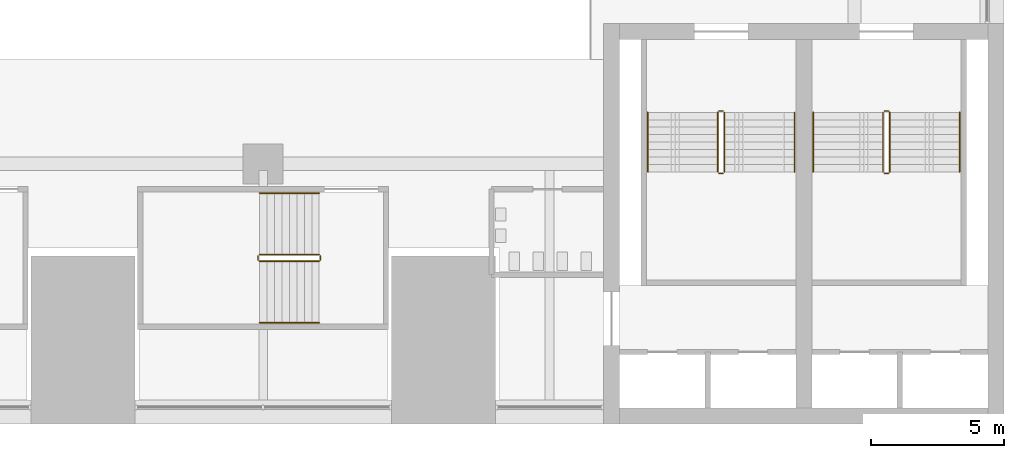
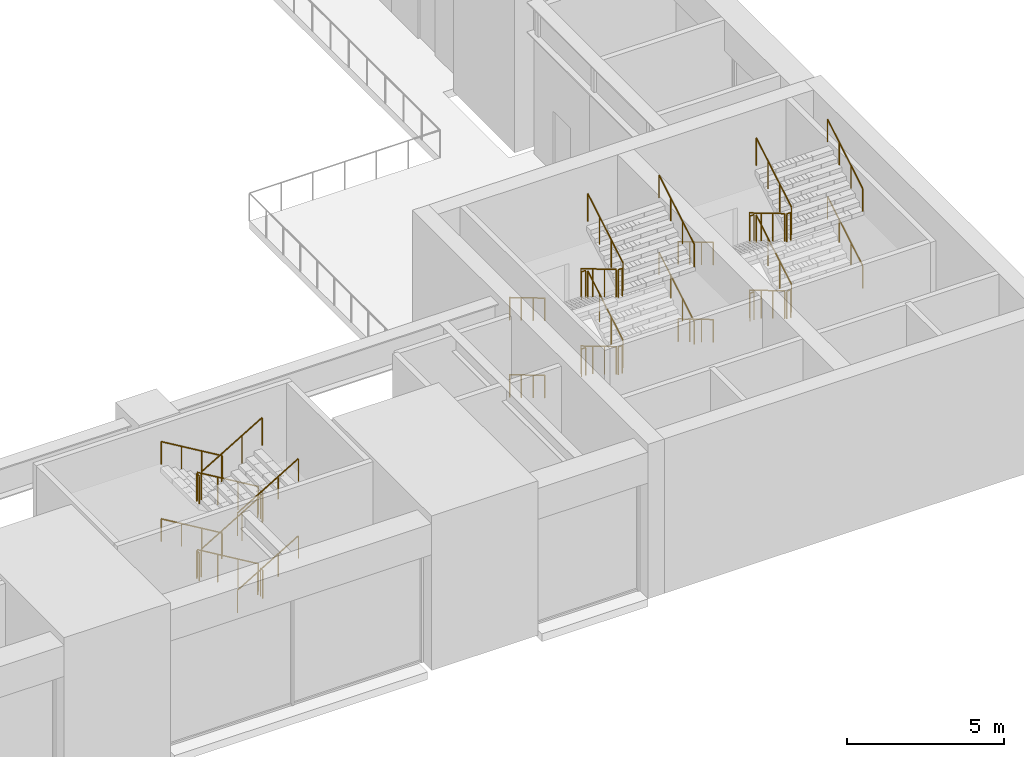
# One storey, part 37 of 41: 6 railings.
"""IFC4 building model written with IfcOpenShell, lengths in metres."""

from ifc_helpers import new_model, si_unit, direction, frame, origin, origin_2d, place, context, subcontext, project, spatial, circle, extrude, material, type_object, element, save


model = new_model("IFC4")

# Units and contexts
model_context = context("Model", 3, precision=1e-05, world=origin(), true_north=direction((0.0, 1.0)))
body_context = subcontext(model_context, "Body", "Model", "MODEL_VIEW")
ifc_project = project(units=[si_unit("LENGTHUNIT", "METRE"), si_unit("AREAUNIT", "SQUARE_METRE"), si_unit("VOLUMEUNIT", "CUBIC_METRE"), si_unit("PLANEANGLEUNIT", "RADIAN"), si_unit("MASSUNIT", "GRAM", prefix="KILO")], contexts=[model_context])

# Site, building, storey
site_placement = place(None, origin())
site = spatial("IfcSite", under=ifc_project, at=site_placement, CompositionType="ELEMENT")
building_placement = place(site_placement, origin())
building = spatial("IfcBuilding", under=site, at=building_placement, Name="Corbelhall Arena Tower", CompositionType="ELEMENT")
storey_placement = place(building_placement, frame((0.0, 0.0, 19.0)))
storey = spatial("IfcBuildingStorey", under=building, at=storey_placement, Name="L02", CompositionType="ELEMENT", Elevation=19.0)

# Railings
ifc_material = material(Name="Stainless steel A4", Category="steel")
railing_type_1 = type_object("IfcRailingType", Name="AR-STAIR-GUARD", PredefinedType="GUARDRAIL", material=ifc_material)
railing_1_placement = place(storey_placement, frame((22.35009765625, -32.64990234375, 0.166748046875)))
element("IfcRailing", 1, at=railing_1_placement, inside=storey, type_object=railing_type_1, Name="L02 AS16 stair guards", PredefinedType="GUARDRAIL", context=body_context, shape_type="SweptSolid", body=[
    extrude(circle(Radius=0.02392578125, at=origin_2d()), frame((0.0, 0.0, 1.076171875), z_axis=(-0.859305625298, 0.0, 0.511462454469), x_axis=(0.0, -1.0, 0.0)), (0.0, 0.0, 1.0), 2.606689453125),
    extrude(circle(Radius=0.02392578125, at=origin_2d()), frame((-2.2900390625, -0.050048828125, 2.4091796875), z_axis=(0.0, -1.0, 0.0), x_axis=(1.0, 0.0, 0.0)), (0.0, 0.0, 1.0), 0.150146484375),
    extrude(circle(Radius=0.02392578125, at=origin_2d()), frame((-2.239990234375, -0.25, 2.576171875), z_axis=(0.859305625298, 0.0, 0.511462454469), x_axis=(0.0, 1.0, 0.0)), (0.0, 0.0, 1.0), 2.606689453125),
    extrude(circle(Radius=0.02392578125, at=origin_2d()), frame((0.0498046875, -0.050048828125, 3.9091796875), z_axis=(0.0, -1.0, 0.0), x_axis=(1.0, 0.0, 0.0)), (0.0, 0.0, 1.0), 0.150146484375),
    extrude(circle(Radius=0.02392578125, at=origin_2d()), frame((0.0, 0.0, 4.076171875), z_axis=(-0.859305625298, 0.0, 0.511462454469), x_axis=(0.0, -1.0, 0.0)), (0.0, 0.0, 1.0), 2.606689453125),
    extrude(circle(Radius=0.02392578125, at=origin_2d()), frame((-2.2900390625, -0.050048828125, 5.4091796875), z_axis=(0.0, -1.0, 0.0), x_axis=(1.0, 0.0, 0.0)), (0.0, 0.0, 1.0), 0.150146484375),
    extrude(circle(Radius=0.02392578125, at=origin_2d()), frame((-2.239990234375, -0.25, 5.576171875), z_axis=(0.859305625298, 0.0, 0.511462454469), x_axis=(0.0, 1.0, 0.0)), (0.0, 0.0, 1.0), 2.606689453125),
    extrude(circle(Radius=0.02392578125, at=origin_2d()), frame((0.0498046875, -0.050048828125, 0.9091796875), z_axis=(0.0, -1.0, 0.0), x_axis=(1.0, 0.0, 0.0)), (0.0, 0.0, 1.0), 0.150146484375),
    extrude(circle(Radius=0.02099609375, at=origin_2d()), origin(), (0.0, 0.0, 1.0), 1.052001953125),
    extrude(circle(Radius=0.02099609375, at=origin_2d()), frame((-0.74658203125, 0.0, 0.4443359375)), (0.0, 0.0, 1.0), 1.052001953125),
    extrude(circle(Radius=0.02099609375, at=origin_2d()), frame((-1.493408203125, 0.0, 0.888916015625)), (0.0, 0.0, 1.0), 1.052001953125),
    extrude(circle(Radius=0.02099609375, at=origin_2d()), frame((-2.239990234375, 0.0, 1.333251953125)), (0.0, 0.0, 1.0), 1.052001953125),
    extrude(circle(Radius=0.02099609375, at=origin_2d()), frame((-2.2900390625, -0.050048828125, 1.333251953125)), (0.0, 0.0, 1.0), 1.052001953125),
    extrude(circle(Radius=0.02099609375, at=origin_2d()), frame((-2.2900390625, -0.2001953125, 1.333251953125)), (0.0, 0.0, 1.0), 1.052001953125),
    extrude(circle(Radius=0.02099609375, at=origin_2d()), frame((-2.239990234375, -0.25, 1.5)), (0.0, 0.0, 1.0), 1.052001953125),
    extrude(circle(Radius=0.02099609375, at=origin_2d()), frame((-1.493408203125, -0.25, 1.9443359375)), (0.0, 0.0, 1.0), 1.052001953125),
    extrude(circle(Radius=0.02099609375, at=origin_2d()), frame((-0.74658203125, -0.25, 2.388916015625)), (0.0, 0.0, 1.0), 1.052001953125),
    extrude(circle(Radius=0.02099609375, at=origin_2d()), frame((0.0, -0.25, 2.833251953125)), (0.0, 0.0, 1.0), 1.052001953125),
    extrude(circle(Radius=0.02099609375, at=origin_2d()), frame((0.0498046875, -0.050048828125, 2.833251953125)), (0.0, 0.0, 1.0), 1.052001953125),
    extrude(circle(Radius=0.02099609375, at=origin_2d()), frame((0.0498046875, -0.2001953125, 2.833251953125)), (0.0, 0.0, 1.0), 1.052001953125),
    extrude(circle(Radius=0.02099609375, at=origin_2d()), frame((0.0, 0.0, 3.0)), (0.0, 0.0, 1.0), 1.052001953125),
    extrude(circle(Radius=0.02099609375, at=origin_2d()), frame((-0.74658203125, 0.0, 3.4443359375)), (0.0, 0.0, 1.0), 1.052001953125),
    extrude(circle(Radius=0.02099609375, at=origin_2d()), frame((-1.493408203125, 0.0, 3.888916015625)), (0.0, 0.0, 1.0), 1.052001953125),
    extrude(circle(Radius=0.02099609375, at=origin_2d()), frame((-2.239990234375, 0.0, 4.333251953125)), (0.0, 0.0, 1.0), 1.052001953125),
    extrude(circle(Radius=0.02099609375, at=origin_2d()), frame((-2.2900390625, -0.050048828125, 4.333251953125)), (0.0, 0.0, 1.0), 1.052001953125),
    extrude(circle(Radius=0.02099609375, at=origin_2d()), frame((-2.2900390625, -0.2001953125, 4.333251953125)), (0.0, 0.0, 1.0), 1.052001953125),
    extrude(circle(Radius=0.02099609375, at=origin_2d()), frame((-2.239990234375, -0.25, 4.5)), (0.0, 0.0, 1.0), 1.052001953125),
    extrude(circle(Radius=0.02099609375, at=origin_2d()), frame((-1.493408203125, -0.25, 4.9443359375)), (0.0, 0.0, 1.0), 1.052001953125),
    extrude(circle(Radius=0.02099609375, at=origin_2d()), frame((-0.74658203125, -0.25, 5.388916015625)), (0.0, 0.0, 1.0), 1.052001953125),
    extrude(circle(Radius=0.02099609375, at=origin_2d()), frame((0.0, -0.25, 5.833251953125)), (0.0, 0.0, 1.0), 1.052001953125),
    extrude(circle(Radius=0.02099609375, at=origin_2d()), frame((0.0498046875, -0.050048828125, -0.166748046875)), (0.0, 0.0, 1.0), 1.052001953125),
    extrude(circle(Radius=0.02099609375, at=origin_2d()), frame((0.0498046875, -0.2001953125, -0.166748046875)), (0.0, 0.0, 1.0), 1.052001953125),
])
railing_2_placement = place(storey_placement, frame((37.280029296875, -27.320068359375, 0.166748046875)))
element("IfcRailing", 2, at=railing_2_placement, inside=storey, type_object=railing_type_1, Name="L02 AS5 stair guards", PredefinedType="GUARDRAIL", context=body_context, shape_type="SweptSolid", body=[
    extrude(circle(Radius=0.02392578125, at=origin_2d()), frame((0.0, 0.0, 1.076171875), z_axis=(0.0, -0.859305625298, 0.511462454469), x_axis=(1.0, 0.0, 0.0)), (0.0, 0.0, 1.0), 2.606689453125),
    extrude(circle(Radius=0.02392578125, at=origin_2d()), frame((0.050048828125, -2.2900390625, 2.4091796875), z_axis=(1.0, 0.0, 0.0), x_axis=(0.0, 1.0, 0.0)), (0.0, 0.0, 1.0), 0.14990234375),
    extrude(circle(Radius=0.02392578125, at=origin_2d()), frame((0.25, -2.239990234375, 2.576171875), z_axis=(0.0, 0.859305625298, 0.511462454469), x_axis=(-1.0, 0.0, 0.0)), (0.0, 0.0, 1.0), 2.606689453125),
    extrude(circle(Radius=0.02392578125, at=origin_2d()), frame((0.050048828125, 0.050048828125, 3.9091796875), z_axis=(1.0, 0.0, 0.0), x_axis=(0.0, 1.0, 0.0)), (0.0, 0.0, 1.0), 0.14990234375),
    extrude(circle(Radius=0.02392578125, at=origin_2d()), frame((0.0, 0.0, 4.076171875), z_axis=(0.0, -0.859305625298, 0.511462454469), x_axis=(1.0, 0.0, 0.0)), (0.0, 0.0, 1.0), 2.606689453125),
    extrude(circle(Radius=0.02392578125, at=origin_2d()), frame((0.050048828125, -2.2900390625, 5.4091796875), z_axis=(1.0, 0.0, 0.0), x_axis=(0.0, 1.0, 0.0)), (0.0, 0.0, 1.0), 0.14990234375),
    extrude(circle(Radius=0.02392578125, at=origin_2d()), frame((0.25, -2.239990234375, 5.576171875), z_axis=(0.0, 0.859305625298, 0.511462454469), x_axis=(-1.0, 0.0, 0.0)), (0.0, 0.0, 1.0), 2.606689453125),
    extrude(circle(Radius=0.02392578125, at=origin_2d()), frame((0.050048828125, 0.050048828125, 0.9091796875), z_axis=(1.0, 0.0, 0.0), x_axis=(0.0, 1.0, 0.0)), (0.0, 0.0, 1.0), 0.14990234375),
    extrude(circle(Radius=0.02099609375, at=origin_2d()), origin(), (0.0, 0.0, 1.0), 1.052001953125),
    extrude(circle(Radius=0.02099609375, at=origin_2d()), frame((0.0, -0.74658203125, 0.4443359375)), (0.0, 0.0, 1.0), 1.052001953125),
    extrude(circle(Radius=0.02099609375, at=origin_2d()), frame((0.0, -1.493408203125, 0.888916015625)), (0.0, 0.0, 1.0), 1.052001953125),
    extrude(circle(Radius=0.02099609375, at=origin_2d()), frame((0.0, -2.239990234375, 1.333251953125)), (0.0, 0.0, 1.0), 1.052001953125),
    extrude(circle(Radius=0.02099609375, at=origin_2d()), frame((0.050048828125, -2.2900390625, 1.333251953125)), (0.0, 0.0, 1.0), 1.052001953125),
    extrude(circle(Radius=0.02099609375, at=origin_2d()), frame((0.199951171875, -2.2900390625, 1.333251953125)), (0.0, 0.0, 1.0), 1.052001953125),
    extrude(circle(Radius=0.02099609375, at=origin_2d()), frame((0.25, -2.239990234375, 1.5)), (0.0, 0.0, 1.0), 1.052001953125),
    extrude(circle(Radius=0.02099609375, at=origin_2d()), frame((0.25, -1.493408203125, 1.9443359375)), (0.0, 0.0, 1.0), 1.052001953125),
    extrude(circle(Radius=0.02099609375, at=origin_2d()), frame((0.25, -0.74658203125, 2.388916015625)), (0.0, 0.0, 1.0), 1.052001953125),
    extrude(circle(Radius=0.02099609375, at=origin_2d()), frame((0.25, 0.0, 2.833251953125)), (0.0, 0.0, 1.0), 1.052001953125),
    extrude(circle(Radius=0.02099609375, at=origin_2d()), frame((0.050048828125, 0.050048828125, 2.833251953125)), (0.0, 0.0, 1.0), 1.052001953125),
    extrude(circle(Radius=0.02099609375, at=origin_2d()), frame((0.199951171875, 0.050048828125, 2.833251953125)), (0.0, 0.0, 1.0), 1.052001953125),
    extrude(circle(Radius=0.02099609375, at=origin_2d()), frame((0.0, 0.0, 3.0)), (0.0, 0.0, 1.0), 1.052001953125),
    extrude(circle(Radius=0.02099609375, at=origin_2d()), frame((0.0, -0.74658203125, 3.4443359375)), (0.0, 0.0, 1.0), 1.052001953125),
    extrude(circle(Radius=0.02099609375, at=origin_2d()), frame((0.0, -1.493408203125, 3.888916015625)), (0.0, 0.0, 1.0), 1.052001953125),
    extrude(circle(Radius=0.02099609375, at=origin_2d()), frame((0.0, -2.239990234375, 4.333251953125)), (0.0, 0.0, 1.0), 1.052001953125),
    extrude(circle(Radius=0.02099609375, at=origin_2d()), frame((0.050048828125, -2.2900390625, 4.333251953125)), (0.0, 0.0, 1.0), 1.052001953125),
    extrude(circle(Radius=0.02099609375, at=origin_2d()), frame((0.199951171875, -2.2900390625, 4.333251953125)), (0.0, 0.0, 1.0), 1.052001953125),
    extrude(circle(Radius=0.02099609375, at=origin_2d()), frame((0.25, -2.239990234375, 4.5)), (0.0, 0.0, 1.0), 1.052001953125),
    extrude(circle(Radius=0.02099609375, at=origin_2d()), frame((0.25, -1.493408203125, 4.9443359375)), (0.0, 0.0, 1.0), 1.052001953125),
    extrude(circle(Radius=0.02099609375, at=origin_2d()), frame((0.25, -0.74658203125, 5.388916015625)), (0.0, 0.0, 1.0), 1.052001953125),
    extrude(circle(Radius=0.02099609375, at=origin_2d()), frame((0.25, 0.0, 5.833251953125)), (0.0, 0.0, 1.0), 1.052001953125),
    extrude(circle(Radius=0.02099609375, at=origin_2d()), frame((0.050048828125, 0.050048828125, -0.166748046875)), (0.0, 0.0, 1.0), 1.052001953125),
    extrude(circle(Radius=0.02099609375, at=origin_2d()), frame((0.199951171875, 0.050048828125, -0.166748046875)), (0.0, 0.0, 1.0), 1.052001953125),
])
railing_3_placement = place(storey_placement, frame((43.469970703125, -27.320068359375, 0.166748046875)))
element("IfcRailing", 3, at=railing_3_placement, inside=storey, type_object=railing_type_1, Name="L02 AS6 stair guards", PredefinedType="GUARDRAIL", context=body_context, shape_type="SweptSolid", body=[
    extrude(circle(Radius=0.02392578125, at=origin_2d()), frame((0.0, 0.0, 1.076171875), z_axis=(0.0, -0.859305625298, 0.511462454469), x_axis=(1.0, 0.0, 0.0)), (0.0, 0.0, 1.0), 2.606689453125),
    extrude(circle(Radius=0.02392578125, at=origin_2d()), frame((0.050048828125, -2.2900390625, 2.4091796875), z_axis=(1.0, 0.0, 0.0), x_axis=(0.0, 1.0, 0.0)), (0.0, 0.0, 1.0), 0.14990234375),
    extrude(circle(Radius=0.02392578125, at=origin_2d()), frame((0.25, -2.239990234375, 2.576171875), z_axis=(0.0, 0.859305625298, 0.511462454469), x_axis=(-1.0, 0.0, 0.0)), (0.0, 0.0, 1.0), 2.606689453125),
    extrude(circle(Radius=0.02392578125, at=origin_2d()), frame((0.050048828125, 0.050048828125, 3.9091796875), z_axis=(1.0, 0.0, 0.0), x_axis=(0.0, 1.0, 0.0)), (0.0, 0.0, 1.0), 0.14990234375),
    extrude(circle(Radius=0.02392578125, at=origin_2d()), frame((0.0, 0.0, 4.076171875), z_axis=(0.0, -0.859305625298, 0.511462454469), x_axis=(1.0, 0.0, 0.0)), (0.0, 0.0, 1.0), 2.606689453125),
    extrude(circle(Radius=0.02392578125, at=origin_2d()), frame((0.050048828125, -2.2900390625, 5.4091796875), z_axis=(1.0, 0.0, 0.0), x_axis=(0.0, 1.0, 0.0)), (0.0, 0.0, 1.0), 0.14990234375),
    extrude(circle(Radius=0.02392578125, at=origin_2d()), frame((0.25, -2.239990234375, 5.576171875), z_axis=(0.0, 0.859305625298, 0.511462454469), x_axis=(-1.0, 0.0, 0.0)), (0.0, 0.0, 1.0), 2.606689453125),
    extrude(circle(Radius=0.02392578125, at=origin_2d()), frame((0.050048828125, 0.050048828125, 0.9091796875), z_axis=(1.0, 0.0, 0.0), x_axis=(0.0, 1.0, 0.0)), (0.0, 0.0, 1.0), 0.14990234375),
    extrude(circle(Radius=0.02099609375, at=origin_2d()), origin(), (0.0, 0.0, 1.0), 1.052001953125),
    extrude(circle(Radius=0.02099609375, at=origin_2d()), frame((0.0, -0.74658203125, 0.4443359375)), (0.0, 0.0, 1.0), 1.052001953125),
    extrude(circle(Radius=0.02099609375, at=origin_2d()), frame((0.0, -1.493408203125, 0.888916015625)), (0.0, 0.0, 1.0), 1.052001953125),
    extrude(circle(Radius=0.02099609375, at=origin_2d()), frame((0.0, -2.239990234375, 1.333251953125)), (0.0, 0.0, 1.0), 1.052001953125),
    extrude(circle(Radius=0.02099609375, at=origin_2d()), frame((0.050048828125, -2.2900390625, 1.333251953125)), (0.0, 0.0, 1.0), 1.052001953125),
    extrude(circle(Radius=0.02099609375, at=origin_2d()), frame((0.199951171875, -2.2900390625, 1.333251953125)), (0.0, 0.0, 1.0), 1.052001953125),
    extrude(circle(Radius=0.02099609375, at=origin_2d()), frame((0.25, -2.239990234375, 1.5)), (0.0, 0.0, 1.0), 1.052001953125),
    extrude(circle(Radius=0.02099609375, at=origin_2d()), frame((0.25, -1.493408203125, 1.9443359375)), (0.0, 0.0, 1.0), 1.052001953125),
    extrude(circle(Radius=0.02099609375, at=origin_2d()), frame((0.25, -0.74658203125, 2.388916015625)), (0.0, 0.0, 1.0), 1.052001953125),
    extrude(circle(Radius=0.02099609375, at=origin_2d()), frame((0.25, 0.0, 2.833251953125)), (0.0, 0.0, 1.0), 1.052001953125),
    extrude(circle(Radius=0.02099609375, at=origin_2d()), frame((0.050048828125, 0.050048828125, 2.833251953125)), (0.0, 0.0, 1.0), 1.052001953125),
    extrude(circle(Radius=0.02099609375, at=origin_2d()), frame((0.199951171875, 0.050048828125, 2.833251953125)), (0.0, 0.0, 1.0), 1.052001953125),
    extrude(circle(Radius=0.02099609375, at=origin_2d()), frame((0.0, 0.0, 3.0)), (0.0, 0.0, 1.0), 1.052001953125),
    extrude(circle(Radius=0.02099609375, at=origin_2d()), frame((0.0, -0.74658203125, 3.4443359375)), (0.0, 0.0, 1.0), 1.052001953125),
    extrude(circle(Radius=0.02099609375, at=origin_2d()), frame((0.0, -1.493408203125, 3.888916015625)), (0.0, 0.0, 1.0), 1.052001953125),
    extrude(circle(Radius=0.02099609375, at=origin_2d()), frame((0.0, -2.239990234375, 4.333251953125)), (0.0, 0.0, 1.0), 1.052001953125),
    extrude(circle(Radius=0.02099609375, at=origin_2d()), frame((0.050048828125, -2.2900390625, 4.333251953125)), (0.0, 0.0, 1.0), 1.052001953125),
    extrude(circle(Radius=0.02099609375, at=origin_2d()), frame((0.199951171875, -2.2900390625, 4.333251953125)), (0.0, 0.0, 1.0), 1.052001953125),
    extrude(circle(Radius=0.02099609375, at=origin_2d()), frame((0.25, -2.239990234375, 4.5)), (0.0, 0.0, 1.0), 1.052001953125),
    extrude(circle(Radius=0.02099609375, at=origin_2d()), frame((0.25, -1.493408203125, 4.9443359375)), (0.0, 0.0, 1.0), 1.052001953125),
    extrude(circle(Radius=0.02099609375, at=origin_2d()), frame((0.25, -0.74658203125, 5.388916015625)), (0.0, 0.0, 1.0), 1.052001953125),
    extrude(circle(Radius=0.02099609375, at=origin_2d()), frame((0.25, 0.0, 5.833251953125)), (0.0, 0.0, 1.0), 1.052001953125),
    extrude(circle(Radius=0.02099609375, at=origin_2d()), frame((0.050048828125, 0.050048828125, -0.166748046875)), (0.0, 0.0, 1.0), 1.052001953125),
    extrude(circle(Radius=0.02099609375, at=origin_2d()), frame((0.199951171875, 0.050048828125, -0.166748046875)), (0.0, 0.0, 1.0), 1.052001953125),
])
railing_type_2 = type_object("IfcRailingType", Name="AR-STAIR-HANDRAIL", PredefinedType="HANDRAIL", material=ifc_material)
railing_4_placement = place(storey_placement, frame((22.35009765625, -30.35009765625, 0.166748046875)))
element("IfcRailing", 4, at=railing_4_placement, inside=storey, type_object=railing_type_2, Name="L02 AS16 stair handrails", PredefinedType="HANDRAIL", context=body_context, shape_type="SweptSolid", body=[
    extrude(circle(Radius=0.02392578125, at=origin_2d()), frame((0.0, 0.0, 0.8759765625), z_axis=(-0.859305625298, 0.0, 0.511462454469), x_axis=(0.0, -1.0, 0.0)), (0.0, 0.0, 1.0), 2.606689453125),
    extrude(circle(Radius=0.02392578125, at=origin_2d()), frame((-2.239990234375, -4.849853515625, 2.3759765625), z_axis=(0.859305625298, 0.0, 0.511462454469), x_axis=(0.0, 1.0, 0.0)), (0.0, 0.0, 1.0), 2.606689453125),
    extrude(circle(Radius=0.02392578125, at=origin_2d()), frame((0.0, 0.0, 3.8759765625), z_axis=(-0.859305625298, 0.0, 0.511462454469), x_axis=(0.0, -1.0, 0.0)), (0.0, 0.0, 1.0), 2.606689453125),
    extrude(circle(Radius=0.02392578125, at=origin_2d()), frame((-2.239990234375, -4.849853515625, 5.3759765625), z_axis=(0.859305625298, 0.0, 0.511462454469), x_axis=(0.0, 1.0, 0.0)), (0.0, 0.0, 1.0), 2.606689453125),
    extrude(circle(Radius=0.02099609375, at=origin_2d()), origin(), (0.0, 0.0, 1.0), 0.851806640625),
    extrude(circle(Radius=0.02099609375, at=origin_2d()), frame((-0.74658203125, 0.0, 0.4443359375)), (0.0, 0.0, 1.0), 0.851806640625),
    extrude(circle(Radius=0.02099609375, at=origin_2d()), frame((-1.493408203125, 0.0, 0.888916015625)), (0.0, 0.0, 1.0), 0.851806640625),
    extrude(circle(Radius=0.02099609375, at=origin_2d()), frame((-2.239990234375, 0.0, 1.333251953125)), (0.0, 0.0, 1.0), 0.851806640625),
    extrude(circle(Radius=0.02099609375, at=origin_2d()), frame((-2.239990234375, -4.849853515625, 1.5)), (0.0, 0.0, 1.0), 0.851806640625),
    extrude(circle(Radius=0.02099609375, at=origin_2d()), frame((-1.493408203125, -4.849853515625, 1.9443359375)), (0.0, 0.0, 1.0), 0.851806640625),
    extrude(circle(Radius=0.02099609375, at=origin_2d()), frame((-0.74658203125, -4.849853515625, 2.388916015625)), (0.0, 0.0, 1.0), 0.851806640625),
    extrude(circle(Radius=0.02099609375, at=origin_2d()), frame((0.0, -4.849853515625, 2.833251953125)), (0.0, 0.0, 1.0), 0.851806640625),
    extrude(circle(Radius=0.02099609375, at=origin_2d()), frame((0.0, 0.0, 3.0)), (0.0, 0.0, 1.0), 0.851806640625),
    extrude(circle(Radius=0.02099609375, at=origin_2d()), frame((-0.74658203125, 0.0, 3.4443359375)), (0.0, 0.0, 1.0), 0.851806640625),
    extrude(circle(Radius=0.02099609375, at=origin_2d()), frame((-1.493408203125, 0.0, 3.888916015625)), (0.0, 0.0, 1.0), 0.851806640625),
    extrude(circle(Radius=0.02099609375, at=origin_2d()), frame((-2.239990234375, 0.0, 4.333251953125)), (0.0, 0.0, 1.0), 0.851806640625),
    extrude(circle(Radius=0.02099609375, at=origin_2d()), frame((-2.239990234375, -4.849853515625, 4.5)), (0.0, 0.0, 1.0), 0.851806640625),
    extrude(circle(Radius=0.02099609375, at=origin_2d()), frame((-1.493408203125, -4.849853515625, 4.9443359375)), (0.0, 0.0, 1.0), 0.851806640625),
    extrude(circle(Radius=0.02099609375, at=origin_2d()), frame((-0.74658203125, -4.849853515625, 5.388916015625)), (0.0, 0.0, 1.0), 0.851806640625),
    extrude(circle(Radius=0.02099609375, at=origin_2d()), frame((0.0, -4.849853515625, 5.833251953125)), (0.0, 0.0, 1.0), 0.851806640625),
])
railing_5_placement = place(storey_placement, frame((34.659912109375, -27.320068359375, 0.166748046875)))
element("IfcRailing", 5, at=railing_5_placement, inside=storey, type_object=railing_type_2, Name="L02 AS5 stair handrails", PredefinedType="HANDRAIL", context=body_context, shape_type="SweptSolid", body=[
    extrude(circle(Radius=0.02392578125, at=origin_2d()), frame((0.0, 0.0, 0.8759765625), z_axis=(0.0, -0.859305625298, 0.511462454469), x_axis=(1.0, 0.0, 0.0)), (0.0, 0.0, 1.0), 2.606689453125),
    extrude(circle(Radius=0.02392578125, at=origin_2d()), frame((5.489990234375, -2.239990234375, 2.3759765625), z_axis=(0.0, 0.859305625298, 0.511462454469), x_axis=(-1.0, 0.0, 0.0)), (0.0, 0.0, 1.0), 2.606689453125),
    extrude(circle(Radius=0.02392578125, at=origin_2d()), frame((0.0, 0.0, 3.8759765625), z_axis=(0.0, -0.859305625298, 0.511462454469), x_axis=(1.0, 0.0, 0.0)), (0.0, 0.0, 1.0), 2.606689453125),
    extrude(circle(Radius=0.02392578125, at=origin_2d()), frame((5.489990234375, -2.239990234375, 5.3759765625), z_axis=(0.0, 0.859305625298, 0.511462454469), x_axis=(-1.0, 0.0, 0.0)), (0.0, 0.0, 1.0), 2.606689453125),
    extrude(circle(Radius=0.02099609375, at=origin_2d()), origin(), (0.0, 0.0, 1.0), 0.851806640625),
    extrude(circle(Radius=0.02099609375, at=origin_2d()), frame((0.0, -0.74658203125, 0.4443359375)), (0.0, 0.0, 1.0), 0.851806640625),
    extrude(circle(Radius=0.02099609375, at=origin_2d()), frame((0.0, -1.493408203125, 0.888916015625)), (0.0, 0.0, 1.0), 0.851806640625),
    extrude(circle(Radius=0.02099609375, at=origin_2d()), frame((0.0, -2.239990234375, 1.333251953125)), (0.0, 0.0, 1.0), 0.851806640625),
    extrude(circle(Radius=0.02099609375, at=origin_2d()), frame((5.489990234375, -2.239990234375, 1.5)), (0.0, 0.0, 1.0), 0.851806640625),
    extrude(circle(Radius=0.02099609375, at=origin_2d()), frame((5.489990234375, -1.493408203125, 1.9443359375)), (0.0, 0.0, 1.0), 0.851806640625),
    extrude(circle(Radius=0.02099609375, at=origin_2d()), frame((5.489990234375, -0.74658203125, 2.388916015625)), (0.0, 0.0, 1.0), 0.851806640625),
    extrude(circle(Radius=0.02099609375, at=origin_2d()), frame((5.489990234375, 0.0, 2.833251953125)), (0.0, 0.0, 1.0), 0.851806640625),
    extrude(circle(Radius=0.02099609375, at=origin_2d()), frame((0.0, 0.0, 3.0)), (0.0, 0.0, 1.0), 0.851806640625),
    extrude(circle(Radius=0.02099609375, at=origin_2d()), frame((0.0, -0.74658203125, 3.4443359375)), (0.0, 0.0, 1.0), 0.851806640625),
    extrude(circle(Radius=0.02099609375, at=origin_2d()), frame((0.0, -1.493408203125, 3.888916015625)), (0.0, 0.0, 1.0), 0.851806640625),
    extrude(circle(Radius=0.02099609375, at=origin_2d()), frame((0.0, -2.239990234375, 4.333251953125)), (0.0, 0.0, 1.0), 0.851806640625),
    extrude(circle(Radius=0.02099609375, at=origin_2d()), frame((5.489990234375, -2.239990234375, 4.5)), (0.0, 0.0, 1.0), 0.851806640625),
    extrude(circle(Radius=0.02099609375, at=origin_2d()), frame((5.489990234375, -1.493408203125, 4.9443359375)), (0.0, 0.0, 1.0), 0.851806640625),
    extrude(circle(Radius=0.02099609375, at=origin_2d()), frame((5.489990234375, -0.74658203125, 5.388916015625)), (0.0, 0.0, 1.0), 0.851806640625),
    extrude(circle(Radius=0.02099609375, at=origin_2d()), frame((5.489990234375, 0.0, 5.833251953125)), (0.0, 0.0, 1.0), 0.851806640625),
])
railing_6_placement = place(storey_placement, frame((40.85009765625, -27.320068359375, 0.166748046875)))
element("IfcRailing", 6, at=railing_6_placement, inside=storey, type_object=railing_type_2, Name="L02 AS6 stair handrails", PredefinedType="HANDRAIL", context=body_context, shape_type="SweptSolid", body=[
    extrude(circle(Radius=0.02392578125, at=origin_2d()), frame((0.0, 0.0, 0.8759765625), z_axis=(0.0, -0.859305625298, 0.511462454469), x_axis=(1.0, 0.0, 0.0)), (0.0, 0.0, 1.0), 2.606689453125),
    extrude(circle(Radius=0.02392578125, at=origin_2d()), frame((5.489990234375, -2.239990234375, 2.3759765625), z_axis=(0.0, 0.859305625298, 0.511462454469), x_axis=(-1.0, 0.0, 0.0)), (0.0, 0.0, 1.0), 2.606689453125),
    extrude(circle(Radius=0.02392578125, at=origin_2d()), frame((0.0, 0.0, 3.8759765625), z_axis=(0.0, -0.859305625298, 0.511462454469), x_axis=(1.0, 0.0, 0.0)), (0.0, 0.0, 1.0), 2.606689453125),
    extrude(circle(Radius=0.02392578125, at=origin_2d()), frame((5.489990234375, -2.239990234375, 5.3759765625), z_axis=(0.0, 0.859305625298, 0.511462454469), x_axis=(-1.0, 0.0, 0.0)), (0.0, 0.0, 1.0), 2.606689453125),
    extrude(circle(Radius=0.02099609375, at=origin_2d()), origin(), (0.0, 0.0, 1.0), 0.851806640625),
    extrude(circle(Radius=0.02099609375, at=origin_2d()), frame((0.0, -0.74658203125, 0.4443359375)), (0.0, 0.0, 1.0), 0.851806640625),
    extrude(circle(Radius=0.02099609375, at=origin_2d()), frame((0.0, -1.493408203125, 0.888916015625)), (0.0, 0.0, 1.0), 0.851806640625),
    extrude(circle(Radius=0.02099609375, at=origin_2d()), frame((0.0, -2.239990234375, 1.333251953125)), (0.0, 0.0, 1.0), 0.851806640625),
    extrude(circle(Radius=0.02099609375, at=origin_2d()), frame((5.489990234375, -2.239990234375, 1.5)), (0.0, 0.0, 1.0), 0.851806640625),
    extrude(circle(Radius=0.02099609375, at=origin_2d()), frame((5.489990234375, -1.493408203125, 1.9443359375)), (0.0, 0.0, 1.0), 0.851806640625),
    extrude(circle(Radius=0.02099609375, at=origin_2d()), frame((5.489990234375, -0.74658203125, 2.388916015625)), (0.0, 0.0, 1.0), 0.851806640625),
    extrude(circle(Radius=0.02099609375, at=origin_2d()), frame((5.489990234375, 0.0, 2.833251953125)), (0.0, 0.0, 1.0), 0.851806640625),
    extrude(circle(Radius=0.02099609375, at=origin_2d()), frame((0.0, 0.0, 3.0)), (0.0, 0.0, 1.0), 0.851806640625),
    extrude(circle(Radius=0.02099609375, at=origin_2d()), frame((0.0, -0.74658203125, 3.4443359375)), (0.0, 0.0, 1.0), 0.851806640625),
    extrude(circle(Radius=0.02099609375, at=origin_2d()), frame((0.0, -1.493408203125, 3.888916015625)), (0.0, 0.0, 1.0), 0.851806640625),
    extrude(circle(Radius=0.02099609375, at=origin_2d()), frame((0.0, -2.239990234375, 4.333251953125)), (0.0, 0.0, 1.0), 0.851806640625),
    extrude(circle(Radius=0.02099609375, at=origin_2d()), frame((5.489990234375, -2.239990234375, 4.5)), (0.0, 0.0, 1.0), 0.851806640625),
    extrude(circle(Radius=0.02099609375, at=origin_2d()), frame((5.489990234375, -1.493408203125, 4.9443359375)), (0.0, 0.0, 1.0), 0.851806640625),
    extrude(circle(Radius=0.02099609375, at=origin_2d()), frame((5.489990234375, -0.74658203125, 5.388916015625)), (0.0, 0.0, 1.0), 0.851806640625),
    extrude(circle(Radius=0.02099609375, at=origin_2d()), frame((5.489990234375, 0.0, 5.833251953125)), (0.0, 0.0, 1.0), 0.851806640625),
])

save(model, "model.ifc")
